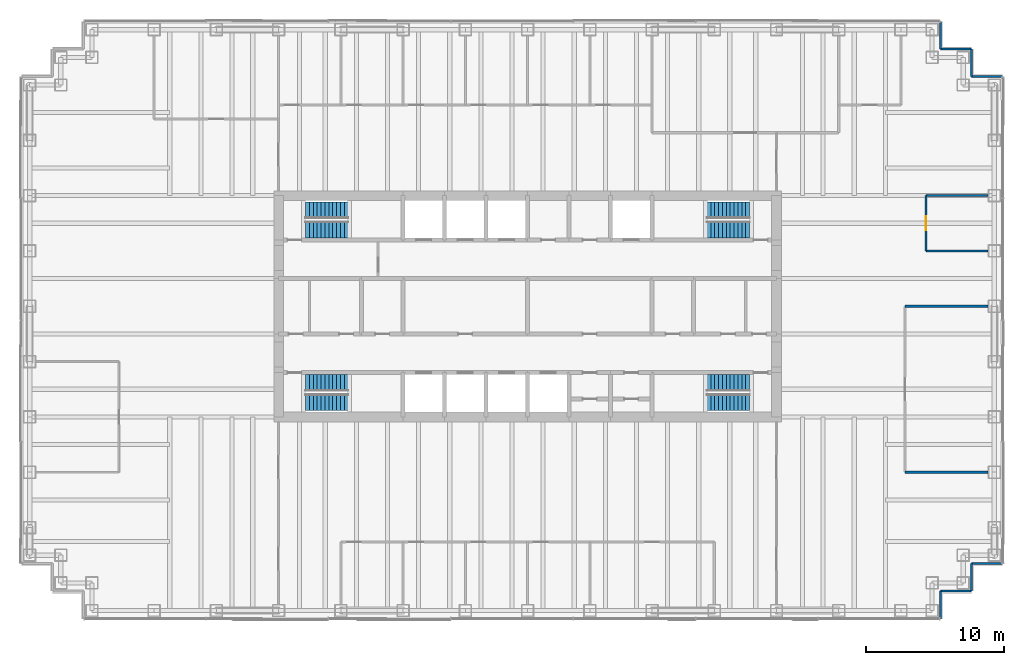
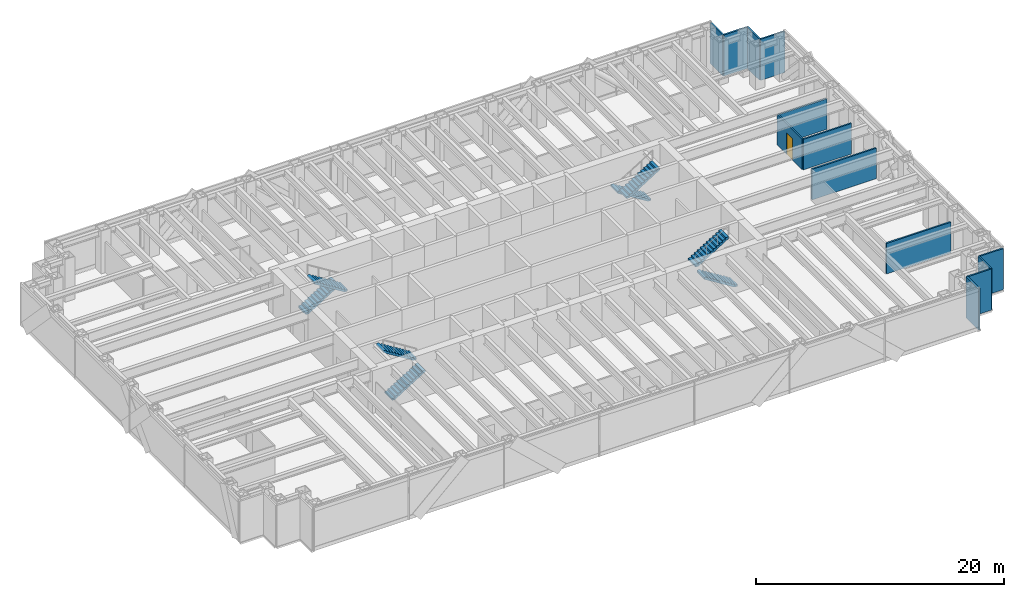
# One storey, part 14 of 15: 13 walls, 8 stair flights, 1 door, 1 opening, 4 elements without a shape of their own.
"""IFC4 building model written with IfcOpenShell, lengths in metres."""

from ifc_helpers import new_model, si_unit, direction, frame, frame_2d, origin, place, context, subcontext, project, spatial, polyline, rectangle, outline, extrude, material, layer, layer_set, type_object, element, fill, aggregate, save


model = new_model("IFC4")

# Units and contexts
model_context = context("Model", 3, precision=1e-05, world=origin(), true_north=direction((0.0, 1.0)))
body_context = subcontext(model_context, "Body", "Model", "MODEL_VIEW")
ifc_project = project(units=[si_unit("LENGTHUNIT", "METRE"), si_unit("AREAUNIT", "SQUARE_METRE"), si_unit("VOLUMEUNIT", "CUBIC_METRE"), si_unit("PLANEANGLEUNIT", "RADIAN"), si_unit("MASSUNIT", "GRAM", prefix="KILO")], contexts=[model_context])

# Site, building, storey
site_placement = place(None, origin())
site = spatial("IfcSite", under=ifc_project, at=site_placement, CompositionType="ELEMENT")
building_placement = place(site_placement, origin())
building = spatial("IfcBuilding", under=site, at=building_placement, Name="Rheinbord Bourse Tower", CompositionType="ELEMENT")
storey_placement = place(building_placement, frame((0.0, 0.0, 313.10009765625)))
storey = spatial("IfcBuildingStorey", under=building, at=storey_placement, Name="L71", CompositionType="ELEMENT", Elevation=313.10009765625)

# Walls
ifc_material_1 = material(Name="Black metal rainscreen panel", Category="aluminium")
ifc_layer_1 = layer(ifc_material_1, 0.14990234375)
ifc_layer_set_1 = layer_set([ifc_layer_1], Name="CORNER PIER CLADDING 150")
wall_type_1 = type_object("IfcWallType", Name="CORNER PIER CLADDING 150", PredefinedType="ELEMENTEDWALL", material=ifc_layer_set_1)
wall_1_placement = place(storey_placement, frame((65.85009765625, 1.39990234375, 0.0), z_axis=(0.0, 0.0, 1.0), x_axis=(0.0, 1.0, 0.0)))
element("IfcWall", 1, at=wall_1_placement, inside=storey, type_object=wall_type_1, Name="Corner pier cladding L71 2", PredefinedType="ELEMENTEDWALL", context=body_context, shape_type="SweptSolid", body=[
    extrude(rectangle(XDim=2.0, YDim=0.14990234375, at=frame_2d((1.0, 0.0))), origin(), (0.0, 0.0, 1.0), 4.039794921875),
])
wall_2_placement = place(storey_placement, frame((65.85009765625, 3.39990234375, 0.0), z_axis=(0.0, 0.0, 1.0), x_axis=(1.0, 0.0, 0.0)))
element("IfcWall", 2, at=wall_2_placement, inside=storey, type_object=wall_type_1, Name="Corner pier cladding L71 3", PredefinedType="ELEMENTEDWALL", context=body_context, shape_type="SweptSolid", body=[
    extrude(rectangle(XDim=2.25, YDim=0.14990234375, at=frame_2d((1.125, 0.0))), origin(), (0.0, 0.0, 1.0), 4.039794921875),
])
wall_3_placement = place(storey_placement, frame((68.10009765625, 3.39990234375, 0.0), z_axis=(0.0, 0.0, 1.0), x_axis=(0.0, 1.0, 0.0)))
element("IfcWall", 3, at=wall_3_placement, inside=storey, type_object=wall_type_1, Name="Corner pier cladding L71 4", PredefinedType="ELEMENTEDWALL", context=body_context, shape_type="SweptSolid", body=[
    extrude(rectangle(XDim=2.0, YDim=0.14990234375, at=frame_2d((1.0, 0.0))), origin(), (0.0, 0.0, 1.0), 4.039794921875),
])
for number, where, z_axis, x_axis, name in (
    (4, (68.10009765625, 5.39990234375, 0.0), (0.0, 0.0, 1.0), (1.0, 0.0, 0.0), "Corner pier cladding L71 5"),
    (5, (70.35009765625, 40.60009765625, 0.0), (0.0, 0.0, 1.0), (-1.0, 0.0, 0.0), "Corner pier cladding L71 7"),
):
    element("IfcWall", number, at=place(storey_placement, frame(where, z_axis=z_axis, x_axis=x_axis)), inside=storey, type_object=wall_type_1, Name=name, PredefinedType="ELEMENTEDWALL", context=body_context, shape_type="SweptSolid", body=[
        extrude(rectangle(XDim=2.25, YDim=0.14990234375, at=frame_2d((1.125, 0.0))), origin(), (0.0, 0.0, 1.0), 4.039794921875),
    ])
wall_4_placement = place(storey_placement, frame((68.10009765625, 40.60009765625, 0.0), z_axis=(0.0, 0.0, 1.0), x_axis=(0.0, 1.0, 0.0)))
element("IfcWall", 6, at=wall_4_placement, inside=storey, type_object=wall_type_1, Name="Corner pier cladding L71 8", PredefinedType="ELEMENTEDWALL", context=body_context, shape_type="SweptSolid", body=[
    extrude(rectangle(XDim=2.0, YDim=0.14990234375, at=frame_2d((1.0, 0.0))), origin(), (0.0, 0.0, 1.0), 4.039794921875),
])
wall_5_placement = place(storey_placement, frame((68.10009765625, 42.60009765625, 0.0), z_axis=(0.0, 0.0, 1.0), x_axis=(-1.0, 0.0, 0.0)))
element("IfcWall", 7, at=wall_5_placement, inside=storey, type_object=wall_type_1, Name="Corner pier cladding L71 9", PredefinedType="ELEMENTEDWALL", context=body_context, shape_type="SweptSolid", body=[
    extrude(rectangle(XDim=2.25, YDim=0.14990234375, at=frame_2d((1.125, 0.0))), origin(), (0.0, 0.0, 1.0), 4.039794921875),
])
wall_6_placement = place(storey_placement, frame((65.85009765625, 42.60009765625, 0.0), z_axis=(0.0, 0.0, 1.0), x_axis=(0.0, 1.0, 0.0)))
element("IfcWall", 8, at=wall_6_placement, inside=storey, type_object=wall_type_1, Name="Corner pier cladding L71 10", PredefinedType="ELEMENTEDWALL", context=body_context, shape_type="SweptSolid", body=[
    extrude(rectangle(XDim=2.0, YDim=0.14990234375, at=frame_2d((1.0, 0.0))), origin(), (0.0, 0.0, 1.0), 4.039794921875),
])
ifc_material_2 = material(Name="Gypsum board partition", Category="gypsum board")
ifc_layer_2 = layer(ifc_material_2, 0.14990234375)
ifc_layer_set_2 = layer_set([ifc_layer_2], Name="PARTITION 150")
wall_type_2 = type_object("IfcWallType", Name="PARTITION 150", PredefinedType="PARTITIONING", material=ifc_layer_set_2)
for number, where, z_axis, x_axis, name in (
    (9, (63.300048828125, 12.0, 0.0), (0.0, 0.0, 1.0), (1.0, 0.0, 0.0), "Partition L71-04"),
    (10, (63.300048828125, 24.0, 0.0), (0.0, 0.0, 1.0), (1.0, 0.0, 0.0), "Partition L71-06"),
):
    element("IfcWall", number, at=place(storey_placement, frame(where, z_axis=z_axis, x_axis=x_axis)), inside=storey, type_object=wall_type_2, Name=name, PredefinedType="PARTITIONING", context=body_context, shape_type="SweptSolid", body=[
        extrude(rectangle(XDim=6.0, YDim=0.14990234375, at=frame_2d((3.0, 0.0))), origin(), (0.0, 0.0, 1.0), 3.0),
    ])
for number, where, z_axis, x_axis, name in (
    (11, (64.800048828125, 28.0, 0.0), (0.0, 0.0, 1.0), (1.0, 0.0, 0.0), "Partition L71-07"),
    (12, (64.800048828125, 32.0, 0.0), (0.0, 0.0, 1.0), (1.0, 0.0, 0.0), "Partition L71-08"),
):
    element("IfcWall", number, at=place(storey_placement, frame(where, z_axis=z_axis, x_axis=x_axis)), inside=storey, type_object=wall_type_2, Name=name, PredefinedType="PARTITIONING", context=body_context, shape_type="SweptSolid", body=[
        extrude(rectangle(XDim=4.5, YDim=0.14990234375, at=frame_2d((2.25, 0.0))), origin(), (0.0, 0.0, 1.0), 3.0),
    ])

# Wall, opening, door
wall_7_placement = place(storey_placement, frame((64.800048828125, 28.0, 0.0), z_axis=(0.0, 0.0, 1.0), x_axis=(0.0, 1.0, 0.0)))
wall_7 = element("IfcWall", 13, at=wall_7_placement, inside=storey, type_object=wall_type_2, Name="Partition L71-35", PredefinedType="PARTITIONING", context=body_context, shape_type="SweptSolid", body=[
    extrude(rectangle(XDim=4.0, YDim=0.14990234375, at=frame_2d((2.0, 0.0))), origin(), (0.0, 0.0, 1.0), 3.0),
])
opening_placement = place(wall_7_placement, frame((1.5, 0.0, 0.0)))
opening = element("IfcOpeningElement", 14, at=opening_placement, cuts=wall_7, Name="Opening 71D08", PredefinedType="OPENING", context=body_context, shape_type="SweptSolid", body=[
    extrude(rectangle(XDim=1.0, YDim=2.10009765625, at=frame_2d((0.5, 1.050048828125))), frame((0.0, 0.0849609375, 0.0), z_axis=(0.0, -1.0, 0.0), x_axis=(1.0, 0.0, 0.0)), (0.0, 0.0, 1.0), 0.169921875),
])
ifc_material_3 = material(Name="Timber door", Category="wood")
door_type = type_object("IfcDoorType", Name="ROOM DOOR 1000", OperationType="SINGLE_SWING_LEFT", PredefinedType="DOOR", material=ifc_material_3)
door_placement = place(opening_placement, origin())
door = element("IfcDoor", 15, at=door_placement, inside=storey, type_object=door_type, Name="Pantry door L71", OperationType="SINGLE_SWING_LEFT", OverallHeight=2.10009765625, OverallWidth=1.0, PredefinedType="DOOR", context=body_context, shape_type="SweptSolid", body=[
    extrude(rectangle(XDim=1.0, YDim=2.10009765625, at=frame_2d((0.5, 1.050048828125))), frame((0.0, 0.02490234375, 0.0), z_axis=(0.0, -1.0, 0.0), x_axis=(1.0, 0.0, 0.0)), (0.0, 0.0, 1.0), 0.050048828125),
])
fill(opening, door)

# Stair, stair flights
ifc_material_4 = material(Name="Concrete C30/37", Category="concrete")
stair_type = type_object("IfcStairType", Name="CORE STAIR HALF TURN 4200", PredefinedType="HALF_TURN_STAIR", material=ifc_material_4)
stair_1_placement = place(storey_placement, origin())
stair_1 = element("IfcStair", 16, at=stair_1_placement, inside=storey, type_object=stair_type, Name="Stair ST1 L71, type CS6", PredefinedType="HALF_TURN_STAIR")
ifc_material_5 = material(Name="Concrete C30/37", Category="concrete")
stair_flight_type = type_object("IfcStairFlightType", Name="CORE STAIR FLIGHT 1200, 12 RISERS", PredefinedType="STRAIGHT", material=ifc_material_5)
stair_flight_1_placement = place(storey_placement, frame((19.949951171875, 17.050048828125, 0.0), z_axis=(0.0, 0.0, 1.0), x_axis=(1.0, 0.0, 0.0)))
stair_flight_1 = element("IfcStairFlight", 17, at=stair_flight_1_placement, type_object=stair_flight_type, Name="STAIR L71 ST1 F1", NumberOfRisers=12, NumberOfTreads=11, PredefinedType="STRAIGHT", RiserHeight=0.175, TreadLength=0.28, context=body_context, shape_type="SweptSolid", body=[
    extrude(outline(polyline([(0.0, 0.0), (0.0, 0.175048828125), (0.280029296875, 0.175048828125), (0.280029296875, 0.35009765625), (0.56005859375, 0.35009765625), (0.56005859375, 0.52490234375), (0.840087890625, 0.52490234375), (0.840087890625, 0.699951171875), (1.1201171875, 0.699951171875), (1.1201171875, 0.875), (1.39990234375, 0.875), (1.39990234375, 1.050048828125), (1.679931640625, 1.050048828125), (1.679931640625, 1.22509765625), (1.9599609375, 1.22509765625), (1.9599609375, 1.39990234375), (2.239990234375, 1.39990234375), (2.239990234375, 1.574951171875), (2.52001953125, 1.574951171875), (2.52001953125, 1.75), (2.800048828125, 1.75), (2.800048828125, 1.925048828125), (3.080078125, 1.925048828125), (3.080078125, 2.10009765625), (3.080078125, 1.748291015625), (0.28271484375, 0.0), (0.0, 0.0)])), frame((0.0, 0.60009765625, 0.0), z_axis=(0.0, -1.0, 0.0), x_axis=(1.0, 0.0, 0.0)), (0.0, 0.0, 1.0), 1.199951171875),
])
stair_flight_2_placement = place(storey_placement, frame((23.030029296875, 18.449951171875, 2.099853515625), z_axis=(0.0, 0.0, 1.0), x_axis=(-1.0, 0.0, 0.0)))
stair_flight_2 = element("IfcStairFlight", 18, at=stair_flight_2_placement, type_object=stair_flight_type, Name="STAIR L71 ST1 F2", NumberOfRisers=12, NumberOfTreads=11, PredefinedType="STRAIGHT", RiserHeight=0.175, TreadLength=0.28, context=body_context, shape_type="SweptSolid", body=[
    extrude(outline(polyline([(0.0, 0.0), (0.0, 0.175048828125), (0.280029296875, 0.175048828125), (0.280029296875, 0.35009765625), (0.56005859375, 0.35009765625), (0.56005859375, 0.52490234375), (0.840087890625, 0.52490234375), (0.840087890625, 0.699951171875), (1.1201171875, 0.699951171875), (1.1201171875, 0.875), (1.39990234375, 0.875), (1.39990234375, 1.050048828125), (1.679931640625, 1.050048828125), (1.679931640625, 1.22509765625), (1.9599609375, 1.22509765625), (1.9599609375, 1.39990234375), (2.239990234375, 1.39990234375), (2.239990234375, 1.574951171875), (2.52001953125, 1.574951171875), (2.52001953125, 1.75), (2.800048828125, 1.75), (2.800048828125, 1.925048828125), (3.080078125, 1.925048828125), (3.080078125, 2.10009765625), (3.080078125, 1.748291015625), (0.28271484375, 0.0), (0.0, 0.0)])), frame((0.0, 0.60009765625, 0.0), z_axis=(0.0, -1.0, 0.0), x_axis=(1.0, 0.0, 0.0)), (0.0, 0.0, 1.0), 1.199951171875),
])
aggregate(stair_1, [stair_flight_1, stair_flight_2])

stair_2_placement = place(storey_placement, origin())
stair_2 = element("IfcStair", 19, at=stair_2_placement, inside=storey, type_object=stair_type, Name="Stair ST2 L71, type CS6", PredefinedType="HALF_TURN_STAIR")
stair_flight_3_placement = place(storey_placement, frame((19.949951171875, 30.949951171875, 0.0), z_axis=(0.0, 0.0, 1.0), x_axis=(1.0, 0.0, 0.0)))
stair_flight_3 = element("IfcStairFlight", 20, at=stair_flight_3_placement, type_object=stair_flight_type, Name="STAIR L71 ST2 F1", NumberOfRisers=12, NumberOfTreads=11, PredefinedType="STRAIGHT", RiserHeight=0.175, TreadLength=0.28, context=body_context, shape_type="SweptSolid", body=[
    extrude(outline(polyline([(0.0, 0.0), (0.0, 0.175048828125), (0.280029296875, 0.175048828125), (0.280029296875, 0.35009765625), (0.56005859375, 0.35009765625), (0.56005859375, 0.52490234375), (0.840087890625, 0.52490234375), (0.840087890625, 0.699951171875), (1.1201171875, 0.699951171875), (1.1201171875, 0.875), (1.39990234375, 0.875), (1.39990234375, 1.050048828125), (1.679931640625, 1.050048828125), (1.679931640625, 1.22509765625), (1.9599609375, 1.22509765625), (1.9599609375, 1.39990234375), (2.239990234375, 1.39990234375), (2.239990234375, 1.574951171875), (2.52001953125, 1.574951171875), (2.52001953125, 1.75), (2.800048828125, 1.75), (2.800048828125, 1.925048828125), (3.080078125, 1.925048828125), (3.080078125, 2.10009765625), (3.080078125, 1.748291015625), (0.28271484375, 0.0), (0.0, 0.0)])), frame((0.0, 0.60009765625, 0.0), z_axis=(0.0, -1.0, 0.0), x_axis=(1.0, 0.0, 0.0)), (0.0, 0.0, 1.0), 1.199951171875),
])
stair_flight_4_placement = place(storey_placement, frame((23.030029296875, 29.550048828125, 2.099853515625), z_axis=(0.0, 0.0, 1.0), x_axis=(-1.0, 0.0, 0.0)))
stair_flight_4 = element("IfcStairFlight", 21, at=stair_flight_4_placement, type_object=stair_flight_type, Name="STAIR L71 ST2 F2", NumberOfRisers=12, NumberOfTreads=11, PredefinedType="STRAIGHT", RiserHeight=0.175, TreadLength=0.28, context=body_context, shape_type="SweptSolid", body=[
    extrude(outline(polyline([(0.0, 0.0), (0.0, 0.175048828125), (0.280029296875, 0.175048828125), (0.280029296875, 0.35009765625), (0.56005859375, 0.35009765625), (0.56005859375, 0.52490234375), (0.840087890625, 0.52490234375), (0.840087890625, 0.699951171875), (1.1201171875, 0.699951171875), (1.1201171875, 0.875), (1.39990234375, 0.875), (1.39990234375, 1.050048828125), (1.679931640625, 1.050048828125), (1.679931640625, 1.22509765625), (1.9599609375, 1.22509765625), (1.9599609375, 1.39990234375), (2.239990234375, 1.39990234375), (2.239990234375, 1.574951171875), (2.52001953125, 1.574951171875), (2.52001953125, 1.75), (2.800048828125, 1.75), (2.800048828125, 1.925048828125), (3.080078125, 1.925048828125), (3.080078125, 2.10009765625), (3.080078125, 1.748291015625), (0.28271484375, 0.0), (0.0, 0.0)])), frame((0.0, 0.60009765625, 0.0), z_axis=(0.0, -1.0, 0.0), x_axis=(1.0, 0.0, 0.0)), (0.0, 0.0, 1.0), 1.199951171875),
])
aggregate(stair_2, [stair_flight_3, stair_flight_4])

stair_3_placement = place(storey_placement, origin())
stair_3 = element("IfcStair", 22, at=stair_3_placement, inside=storey, type_object=stair_type, Name="Stair ST3 L71, type CS6", PredefinedType="HALF_TURN_STAIR")
stair_flight_5_placement = place(storey_placement, frame((52.050048828125, 17.050048828125, 0.0), z_axis=(0.0, 0.0, 1.0), x_axis=(-1.0, 0.0, 0.0)))
stair_flight_5 = element("IfcStairFlight", 23, at=stair_flight_5_placement, type_object=stair_flight_type, Name="STAIR L71 ST3 F1", NumberOfRisers=12, NumberOfTreads=11, PredefinedType="STRAIGHT", RiserHeight=0.175, TreadLength=0.28, context=body_context, shape_type="SweptSolid", body=[
    extrude(outline(polyline([(0.0, 0.0), (0.0, 0.175048828125), (0.280029296875, 0.175048828125), (0.280029296875, 0.35009765625), (0.56005859375, 0.35009765625), (0.56005859375, 0.52490234375), (0.840087890625, 0.52490234375), (0.840087890625, 0.699951171875), (1.1201171875, 0.699951171875), (1.1201171875, 0.875), (1.39990234375, 0.875), (1.39990234375, 1.050048828125), (1.679931640625, 1.050048828125), (1.679931640625, 1.22509765625), (1.9599609375, 1.22509765625), (1.9599609375, 1.39990234375), (2.239990234375, 1.39990234375), (2.239990234375, 1.574951171875), (2.52001953125, 1.574951171875), (2.52001953125, 1.75), (2.800048828125, 1.75), (2.800048828125, 1.925048828125), (3.080078125, 1.925048828125), (3.080078125, 2.10009765625), (3.080078125, 1.748291015625), (0.28271484375, 0.0), (0.0, 0.0)])), frame((0.0, 0.60009765625, 0.0), z_axis=(0.0, -1.0, 0.0), x_axis=(1.0, 0.0, 0.0)), (0.0, 0.0, 1.0), 1.199951171875),
])
stair_flight_6_placement = place(storey_placement, frame((48.969970703125, 18.449951171875, 2.099853515625), z_axis=(0.0, 0.0, 1.0), x_axis=(1.0, 0.0, 0.0)))
stair_flight_6 = element("IfcStairFlight", 24, at=stair_flight_6_placement, type_object=stair_flight_type, Name="STAIR L71 ST3 F2", NumberOfRisers=12, NumberOfTreads=11, PredefinedType="STRAIGHT", RiserHeight=0.175, TreadLength=0.28, context=body_context, shape_type="SweptSolid", body=[
    extrude(outline(polyline([(0.0, 0.0), (0.0, 0.175048828125), (0.280029296875, 0.175048828125), (0.280029296875, 0.35009765625), (0.56005859375, 0.35009765625), (0.56005859375, 0.52490234375), (0.840087890625, 0.52490234375), (0.840087890625, 0.699951171875), (1.1201171875, 0.699951171875), (1.1201171875, 0.875), (1.39990234375, 0.875), (1.39990234375, 1.050048828125), (1.679931640625, 1.050048828125), (1.679931640625, 1.22509765625), (1.9599609375, 1.22509765625), (1.9599609375, 1.39990234375), (2.239990234375, 1.39990234375), (2.239990234375, 1.574951171875), (2.52001953125, 1.574951171875), (2.52001953125, 1.75), (2.800048828125, 1.75), (2.800048828125, 1.925048828125), (3.080078125, 1.925048828125), (3.080078125, 2.10009765625), (3.080078125, 1.748291015625), (0.28271484375, 0.0), (0.0, 0.0)])), frame((0.0, 0.60009765625, 0.0), z_axis=(0.0, -1.0, 0.0), x_axis=(1.0, 0.0, 0.0)), (0.0, 0.0, 1.0), 1.199951171875),
])
aggregate(stair_3, [stair_flight_5, stair_flight_6])

stair_4_placement = place(storey_placement, origin())
stair_4 = element("IfcStair", 25, at=stair_4_placement, inside=storey, type_object=stair_type, Name="Stair ST4 L71, type CS6", PredefinedType="HALF_TURN_STAIR")
stair_flight_7_placement = place(storey_placement, frame((52.050048828125, 30.949951171875, 0.0), z_axis=(0.0, 0.0, 1.0), x_axis=(-1.0, 0.0, 0.0)))
stair_flight_7 = element("IfcStairFlight", 26, at=stair_flight_7_placement, type_object=stair_flight_type, Name="STAIR L71 ST4 F1", NumberOfRisers=12, NumberOfTreads=11, PredefinedType="STRAIGHT", RiserHeight=0.175, TreadLength=0.28, context=body_context, shape_type="SweptSolid", body=[
    extrude(outline(polyline([(0.0, 0.0), (0.0, 0.175048828125), (0.280029296875, 0.175048828125), (0.280029296875, 0.35009765625), (0.56005859375, 0.35009765625), (0.56005859375, 0.52490234375), (0.840087890625, 0.52490234375), (0.840087890625, 0.699951171875), (1.1201171875, 0.699951171875), (1.1201171875, 0.875), (1.39990234375, 0.875), (1.39990234375, 1.050048828125), (1.679931640625, 1.050048828125), (1.679931640625, 1.22509765625), (1.9599609375, 1.22509765625), (1.9599609375, 1.39990234375), (2.239990234375, 1.39990234375), (2.239990234375, 1.574951171875), (2.52001953125, 1.574951171875), (2.52001953125, 1.75), (2.800048828125, 1.75), (2.800048828125, 1.925048828125), (3.080078125, 1.925048828125), (3.080078125, 2.10009765625), (3.080078125, 1.748291015625), (0.28271484375, 0.0), (0.0, 0.0)])), frame((0.0, 0.60009765625, 0.0), z_axis=(0.0, -1.0, 0.0), x_axis=(1.0, 0.0, 0.0)), (0.0, 0.0, 1.0), 1.199951171875),
])
stair_flight_8_placement = place(storey_placement, frame((48.969970703125, 29.550048828125, 2.099853515625), z_axis=(0.0, 0.0, 1.0), x_axis=(1.0, 0.0, 0.0)))
stair_flight_8 = element("IfcStairFlight", 27, at=stair_flight_8_placement, type_object=stair_flight_type, Name="STAIR L71 ST4 F2", NumberOfRisers=12, NumberOfTreads=11, PredefinedType="STRAIGHT", RiserHeight=0.175, TreadLength=0.28, context=body_context, shape_type="SweptSolid", body=[
    extrude(outline(polyline([(0.0, 0.0), (0.0, 0.175048828125), (0.280029296875, 0.175048828125), (0.280029296875, 0.35009765625), (0.56005859375, 0.35009765625), (0.56005859375, 0.52490234375), (0.840087890625, 0.52490234375), (0.840087890625, 0.699951171875), (1.1201171875, 0.699951171875), (1.1201171875, 0.875), (1.39990234375, 0.875), (1.39990234375, 1.050048828125), (1.679931640625, 1.050048828125), (1.679931640625, 1.22509765625), (1.9599609375, 1.22509765625), (1.9599609375, 1.39990234375), (2.239990234375, 1.39990234375), (2.239990234375, 1.574951171875), (2.52001953125, 1.574951171875), (2.52001953125, 1.75), (2.800048828125, 1.75), (2.800048828125, 1.925048828125), (3.080078125, 1.925048828125), (3.080078125, 2.10009765625), (3.080078125, 1.748291015625), (0.28271484375, 0.0), (0.0, 0.0)])), frame((0.0, 0.60009765625, 0.0), z_axis=(0.0, -1.0, 0.0), x_axis=(1.0, 0.0, 0.0)), (0.0, 0.0, 1.0), 1.199951171875),
])
aggregate(stair_4, [stair_flight_7, stair_flight_8])

save(model, "model.ifc")
